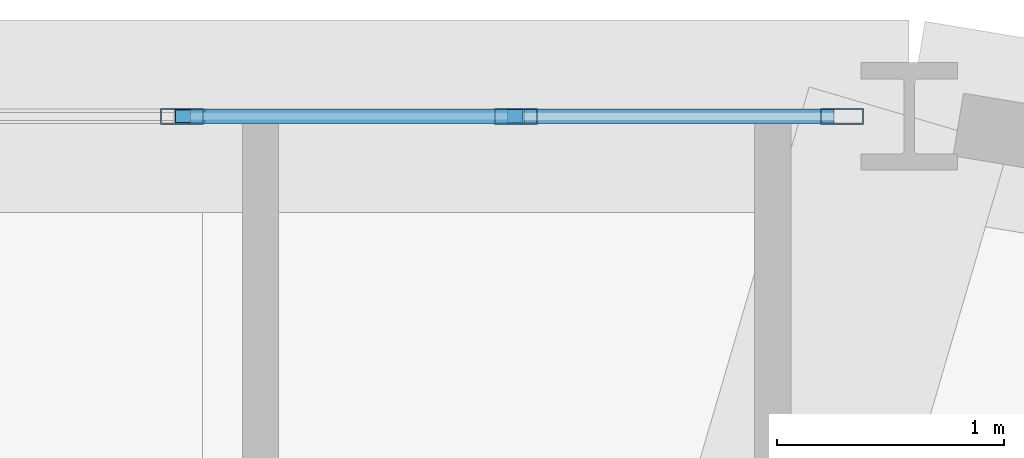
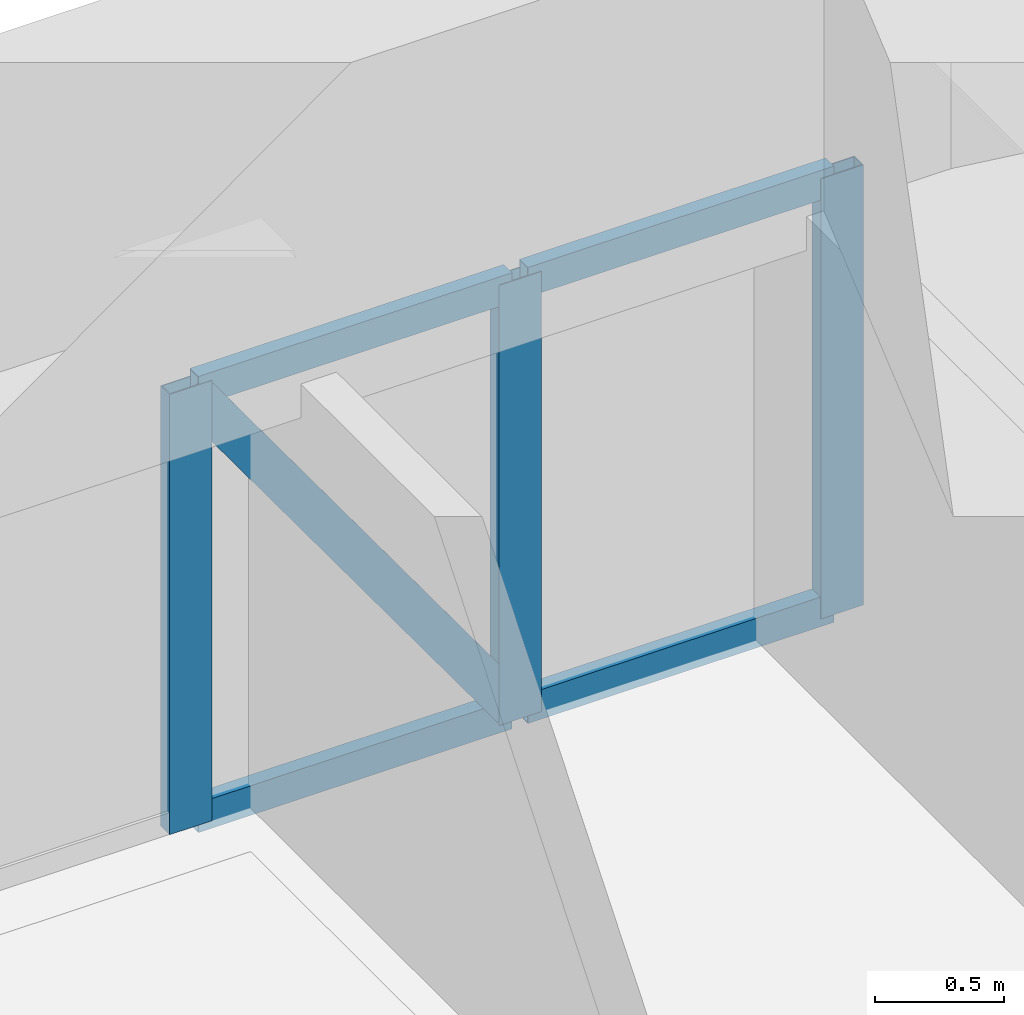
# One storey, part 12 of 18: 8 members, 1 element without a shape of its own.
"""IFC4 building model written with IfcOpenShell, lengths in metres."""

from ifc_helpers import new_model, si_unit, derived_unit, direction, frame, origin, origin_2d, place, context, subcontext, project, spatial, hollow_rectangle, extrude, source, transform, mapped, material, layer, layer_set, material_profile, profile_set, type_object, element, aggregate, save


model = new_model("IFC4")

# Units and contexts
model_context = context("Model", 3, precision=1e-05, world=origin(), true_north=direction((0.0, 1.0)))
body_context = subcontext(model_context, "Body", "Model", "MODEL_VIEW")
ifc_project = project(units=[si_unit("LENGTHUNIT", "METRE"), si_unit("AREAUNIT", "SQUARE_METRE"), si_unit("VOLUMEUNIT", "CUBIC_METRE"), si_unit("PLANEANGLEUNIT", "RADIAN"), si_unit("MASSUNIT", "GRAM", prefix="KILO"), derived_unit("THERMALTRANSMITTANCEUNIT", [(si_unit("POWERUNIT", "WATT"), 1), (si_unit("LENGTHUNIT", "METRE"), -2), (si_unit("THERMODYNAMICTEMPERATUREUNIT", "KELVIN"), -1)])], contexts=[model_context])

# Site, building, storey
site_placement = place(None, origin())
site = spatial("IfcSite", under=ifc_project, at=site_placement, CompositionType="ELEMENT")
building_placement = place(site_placement, origin())
building = spatial("IfcBuilding", under=site, at=building_placement, Name="Korsvarv Bourse and Concert Hall", CompositionType="ELEMENT")
storey_placement = place(building_placement, frame((0.0, 0.0, 71.699951171875)))
storey = spatial("IfcBuildingStorey", under=building, at=storey_placement, Name="L17", CompositionType="ELEMENT", Elevation=71.699951171875)

# Curtain wall, members
ifc_material_1 = material(Name="Anodised aluminium and triple low-E glazing", Category="glass")
ifc_layer = layer(ifc_material_1, 0.219970703125)
ifc_layer_set = layer_set([ifc_layer], Name="Anodised aluminium and triple low-E glazing")
curtain_wall_type = type_object("IfcCurtainWallType", Name="CW-SYS-1", PredefinedType="NOTDEFINED", material=ifc_layer_set)
curtain_wall_placement = place(storey_placement, origin())
curtain_wall = element("IfcCurtainWall", 1, at=curtain_wall_placement, inside=storey, type_object=curtain_wall_type, Name="L17 CW1 curtain wall CW-L17-F03", PredefinedType="NOTDEFINED")
ifc_material_2 = material(Name="Extruded aluminium EN AW-6063 T66", Category="aluminium")
ifc_material_profile_1 = material_profile(ifc_material_2, hollow_rectangle(XDim=0.070068359375, YDim=0.18994140625, WallThickness=0.0048828125, at=origin_2d()), Name="ALU-M 70x190")
ifc_profile_set_1 = profile_set([ifc_material_profile_1], Name="Extruded aluminium EN AW-6063 T66")
member_type_1 = type_object("IfcMemberType", Name="CWM-190", PredefinedType="MULLION", material=ifc_profile_set_1)
shared_shape_1 = source(origin(), body_context, "Body", "SweptSolid", [
    extrude(hollow_rectangle(XDim=0.070068359375, YDim=0.18994140625, WallThickness=0.0048828125, at=origin_2d()), origin(), (0.0, 0.0, 1.0), 2.080078125),
])
member_1_placement = place(storey_placement, frame((47.52978515625, 56.376708984375, 0.0), z_axis=(0.0, 0.0, 1.0), x_axis=(0.0, -1.0, 0.0)))
member_1 = element("IfcMember", 2, at=member_1_placement, type_object=member_type_1, Name="CW1 mullion 1", PredefinedType="MULLION", context=body_context, shape_type="MappedRepresentation", body=[
    mapped(shared_shape_1, transform((0.0, 0.0, 0.0), scale=1.0)),
])
member_2_placement = place(storey_placement, frame((46.091796875, 56.376708984375, 0.0), z_axis=(0.0, 0.0, 1.0), x_axis=(0.0, -1.0, 0.0)))
member_2 = element("IfcMember", 3, at=member_2_placement, type_object=member_type_1, Name="CW1 mullion 2", PredefinedType="MULLION", context=body_context, shape_type="MappedRepresentation", body=[
    mapped(shared_shape_1, transform((0.0, 0.0, 0.0), scale=1.0)),
])
member_3_placement = place(storey_placement, frame((44.618896484375, 56.376708984375, 0.0), z_axis=(0.0, 0.0, 1.0), x_axis=(0.0, -1.0, 0.0)))
member_3 = element("IfcMember", 4, at=member_3_placement, type_object=member_type_1, Name="CW1 mullion 3", PredefinedType="MULLION", context=body_context, shape_type="MappedRepresentation", body=[
    mapped(shared_shape_1, transform((0.0, 0.0, 0.0), scale=1.0)),
])
ifc_material_profile_2 = material_profile(ifc_material_2, hollow_rectangle(XDim=0.06494140625, YDim=0.139892578125, WallThickness=0.00390625, at=origin_2d()), Name="ALU-T 65x140")
ifc_profile_set_2 = profile_set([ifc_material_profile_2], Name="Extruded aluminium EN AW-6063 T66")
member_type_2 = type_object("IfcMemberType", Name="CWT-140", PredefinedType="USERDEFINED", material=ifc_profile_set_2)
shared_shape_2 = source(origin(), body_context, "Body", "SweptSolid", [
    extrude(hollow_rectangle(XDim=0.06494140625, YDim=0.139892578125, WallThickness=0.00390625, at=origin_2d()), origin(), (0.0, 0.0, 1.0), 1.367919921875),
])
member_4_placement = place(storey_placement, frame((47.49462890625, 56.376708984375, 0.032470703125), z_axis=(-1.0, 0.0, 0.0), x_axis=(0.0, -1.0, 0.0)))
member_4 = element("IfcMember", 5, at=member_4_placement, type_object=member_type_2, Name="CW1 transom 1.1", ObjectType="TRANSOM", PredefinedType="USERDEFINED", context=body_context, shape_type="MappedRepresentation", body=[
    mapped(shared_shape_2, transform((0.0, 0.0, 0.0), scale=1.0)),
])
member_5_placement = place(storey_placement, frame((47.49462890625, 56.376708984375, 2.047607421875), z_axis=(-1.0, 0.0, 0.0), x_axis=(0.0, -1.0, 0.0)))
member_5 = element("IfcMember", 6, at=member_5_placement, type_object=member_type_2, Name="CW1 transom 1.2", ObjectType="TRANSOM", PredefinedType="USERDEFINED", context=body_context, shape_type="MappedRepresentation", body=[
    mapped(shared_shape_2, transform((0.0, 0.0, 0.0), scale=1.0)),
])
shared_shape_3 = source(origin(), body_context, "Body", "SweptSolid", [
    extrude(hollow_rectangle(XDim=0.06494140625, YDim=0.139892578125, WallThickness=0.00390625, at=origin_2d()), origin(), (0.0, 0.0, 1.0), 1.40283203125),
])
member_6_placement = place(storey_placement, frame((46.056640625, 56.376708984375, 0.032470703125), z_axis=(-1.0, 0.0, 0.0), x_axis=(0.0, -1.0, 0.0)))
member_6 = element("IfcMember", 7, at=member_6_placement, type_object=member_type_2, Name="CW1 transom 2.1", ObjectType="TRANSOM", PredefinedType="USERDEFINED", context=body_context, shape_type="MappedRepresentation", body=[
    mapped(shared_shape_3, transform((0.0, 0.0, 0.0), scale=1.0)),
])
member_7_placement = place(storey_placement, frame((46.056640625, 56.376708984375, 2.047607421875), z_axis=(-1.0, 0.0, 0.0), x_axis=(0.0, -1.0, 0.0)))
member_7 = element("IfcMember", 8, at=member_7_placement, type_object=member_type_2, Name="CW1 transom 2.2", ObjectType="TRANSOM", PredefinedType="USERDEFINED", context=body_context, shape_type="MappedRepresentation", body=[
    mapped(shared_shape_3, transform((0.0, 0.0, 0.0), scale=1.0)),
])
ifc_material_profile_3 = material_profile(ifc_material_2, hollow_rectangle(XDim=0.06494140625, YDim=0.1650390625, WallThickness=0.0048828125, at=origin_2d()), Name="ALU-M 65x165")
ifc_profile_set_3 = profile_set([ifc_material_profile_3], Name="Extruded aluminium EN AW-6063 T66")
member_type_3 = type_object("IfcMemberType", Name="CWM-165", PredefinedType="MULLION", material=ifc_profile_set_3)
shared_shape_4 = source(origin(), body_context, "Body", "SweptSolid", [
    extrude(hollow_rectangle(XDim=0.06494140625, YDim=0.1650390625, WallThickness=0.0048828125, at=origin_2d()), origin(), (0.0, 0.0, 1.0), 2.40234375),
])
member_8_placement = place(storey_placement, frame((46.056640625, 56.376708984375, 0.06494140625), z_axis=(-0.583945923963, 0.0, 0.811792558408), x_axis=(0.0, -1.0, 0.0)))
member_8 = element("IfcMember", 9, at=member_8_placement, type_object=member_type_3, Name="CW1 diagonal mullion 2", PredefinedType="MULLION", context=body_context, shape_type="MappedRepresentation", body=[
    mapped(shared_shape_4, transform((0.0, 0.0, 0.0), scale=1.0)),
])
aggregate(curtain_wall, [member_1, member_2, member_3, member_4, member_5, member_6, member_7, member_8])

save(model, "model.ifc")
